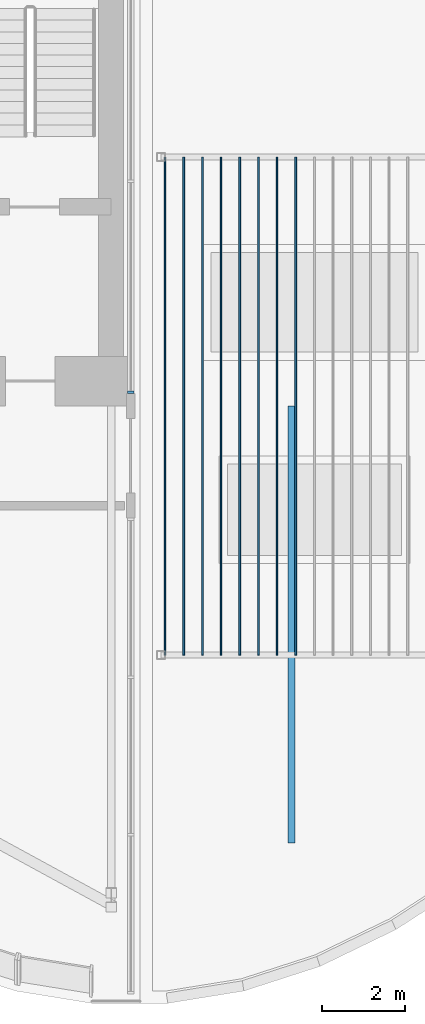
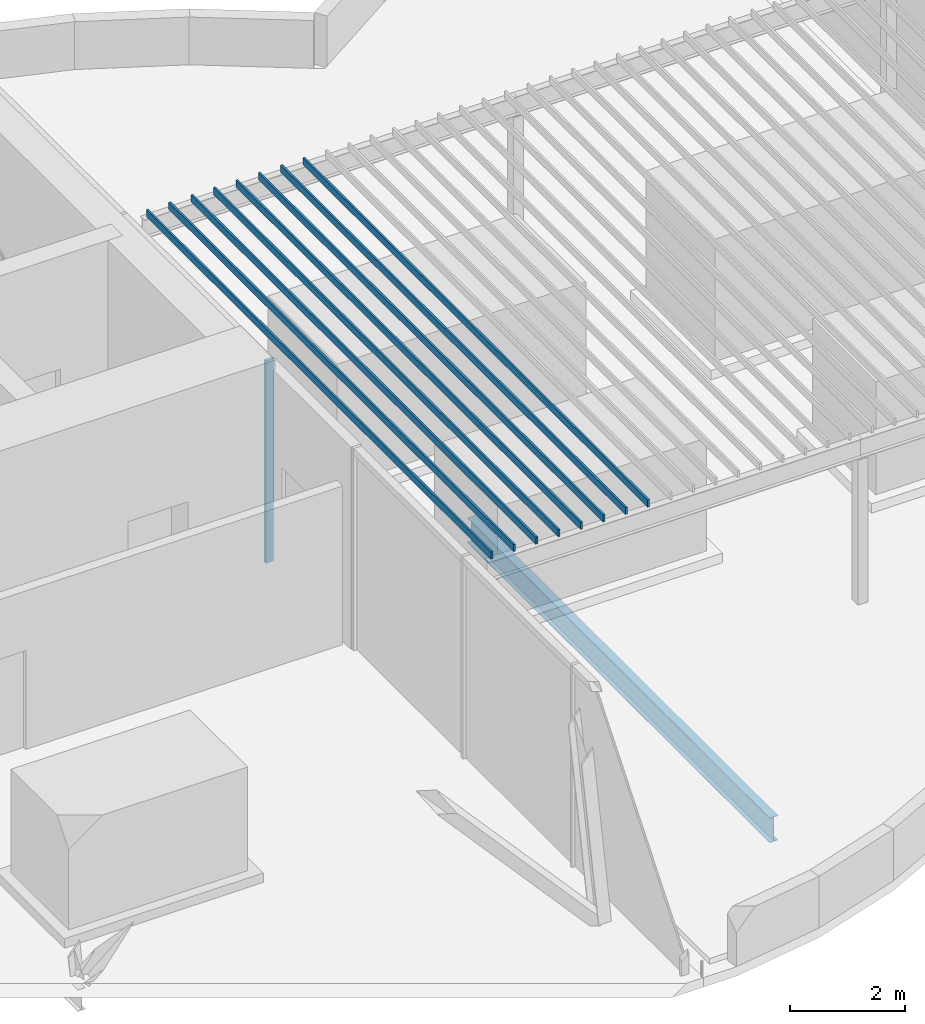
# One storey, part 4 of 18: 9 members, 1 beam, 2 elements without a shape of their own.
"""IFC4 building model written with IfcOpenShell, lengths in metres."""

from ifc_helpers import new_model, si_unit, direction, frame, origin, origin_2d, place, context, subcontext, project, spatial, rectangle, i_section, extrude, material, material_profile, profile_set, type_object, element, aggregate, save


model = new_model("IFC4")

# Units and contexts
model_context = context("Model", 3, precision=1e-05, world=origin(), true_north=direction((0.0, 1.0)))
body_context = subcontext(model_context, "Body", "Model", "MODEL_VIEW")
ifc_project = project(units=[si_unit("LENGTHUNIT", "METRE"), si_unit("AREAUNIT", "SQUARE_METRE"), si_unit("VOLUMEUNIT", "CUBIC_METRE"), si_unit("PLANEANGLEUNIT", "RADIAN"), si_unit("MASSUNIT", "GRAM", prefix="KILO")], contexts=[model_context])

# Site, building, storey
site_placement = place(None, origin())
site = spatial("IfcSite", under=ifc_project, at=site_placement, CompositionType="ELEMENT")
building_placement = place(site_placement, origin())
building = spatial("IfcBuilding", under=site, at=building_placement, Name="Bicima Exchange Tower", CompositionType="ELEMENT")
storey_placement = place(building_placement, frame((0.0, 0.0, 347.89990234375)))
storey = spatial("IfcBuildingStorey", under=building, at=storey_placement, Name="L78", CompositionType="ELEMENT", Elevation=347.89990234375)

# Curtain wall, member
ifc_material_1 = material(Name="Anodised bronze aluminium", Category="aluminium")
curtain_wall_type_1 = type_object("IfcCurtainWallType", Name="End face glass wall", PredefinedType="NOTDEFINED", material=ifc_material_1)
curtain_wall_1_placement = place(storey_placement, origin())
curtain_wall_1 = element("IfcCurtainWall", 1, at=curtain_wall_1_placement, inside=storey, type_object=curtain_wall_type_1, Name="End face glass wall L78 run 1.2", PredefinedType="NOTDEFINED")
ifc_material_profile_1 = material_profile(ifc_material_1, rectangle(XDim=0.159912109375, YDim=0.06005859375, at=origin_2d()))
ifc_profile_set_1 = profile_set([ifc_material_profile_1], Name="Anodised bronze aluminium")
member_type_1 = type_object("IfcMemberType", Name="End face glass wall mullion 60 x 160", PredefinedType="MULLION", material=ifc_profile_set_1)
member_1_placement = place(storey_placement, frame((-8.22998046875, -12.669921875, 0.0), z_axis=(0.0, 0.0, 1.0), x_axis=(-1.0, 0.0, 0.0)))
member_1 = element("IfcMember", 2, at=member_1_placement, type_object=member_type_1, Name="End face glass wall mullion 1", PredefinedType="MULLION", context=body_context, shape_type="SweptSolid", body=[
    extrude(rectangle(XDim=0.159912109375, YDim=0.06005859375, at=origin_2d()), origin(), (0.0, 0.0, 1.0), 4.300048828125),
])
aggregate(curtain_wall_1, [member_1])

# Curtain wall, members
curtain_wall_type_2 = type_object("IfcCurtainWallType", Name="Louvre screen", PredefinedType="NOTDEFINED", material=ifc_material_1)
curtain_wall_2_placement = place(storey_placement, origin())
curtain_wall_2 = element("IfcCurtainWall", 3, at=curtain_wall_2_placement, inside=storey, type_object=curtain_wall_type_2, Name="Slot roof louvre SCREEN", PredefinedType="NOTDEFINED")
ifc_material_profile_2 = material_profile(ifc_material_1, rectangle(XDim=0.0400390625, YDim=0.14990234375, at=origin_2d()))
ifc_profile_set_2 = profile_set([ifc_material_profile_2], Name="Anodised bronze aluminium")
member_type_2 = type_object("IfcMemberType", Name="Louvre blade 150 x 40", PredefinedType="USERDEFINED", material=ifc_profile_set_2)
member_2_placement = place(storey_placement, frame((-7.39990234375, -7.0, 3.675048828125), z_axis=(0.0, -1.0, 0.0), x_axis=(1.0, 0.0, 0.0)))
member_2 = element("IfcMember", 4, at=member_2_placement, type_object=member_type_2, Name="Slot roof louvre blade", ObjectType="SCREEN", PredefinedType="USERDEFINED", context=body_context, shape_type="SweptSolid", body=[
    extrude(rectangle(XDim=0.0400390625, YDim=0.14990234375, at=origin_2d()), origin(), (0.0, 0.0, 1.0), 12.0),
])
member_3_placement = place(storey_placement, frame((-6.949951171875, -7.0, 3.675048828125), z_axis=(0.0, -1.0, 0.0), x_axis=(1.0, 0.0, 0.0)))
member_3 = element("IfcMember", 5, at=member_3_placement, type_object=member_type_2, Name="Slot roof louvre blade", ObjectType="SCREEN", PredefinedType="USERDEFINED", context=body_context, shape_type="SweptSolid", body=[
    extrude(rectangle(XDim=0.0400390625, YDim=0.14990234375, at=origin_2d()), origin(), (0.0, 0.0, 1.0), 12.0),
])
member_4_placement = place(storey_placement, frame((-6.5, -7.0, 3.675048828125), z_axis=(0.0, -1.0, 0.0), x_axis=(1.0, 0.0, 0.0)))
member_4 = element("IfcMember", 6, at=member_4_placement, type_object=member_type_2, Name="Slot roof louvre blade", ObjectType="SCREEN", PredefinedType="USERDEFINED", context=body_context, shape_type="SweptSolid", body=[
    extrude(rectangle(XDim=0.0400390625, YDim=0.14990234375, at=origin_2d()), origin(), (0.0, 0.0, 1.0), 12.0),
])
member_5_placement = place(storey_placement, frame((-6.050048828125, -7.0, 3.675048828125), z_axis=(0.0, -1.0, 0.0), x_axis=(1.0, 0.0, 0.0)))
member_5 = element("IfcMember", 7, at=member_5_placement, type_object=member_type_2, Name="Slot roof louvre blade", ObjectType="SCREEN", PredefinedType="USERDEFINED", context=body_context, shape_type="SweptSolid", body=[
    extrude(rectangle(XDim=0.0400390625, YDim=0.14990234375, at=origin_2d()), origin(), (0.0, 0.0, 1.0), 12.0),
])
member_6_placement = place(storey_placement, frame((-5.60009765625, -7.0, 3.675048828125), z_axis=(0.0, -1.0, 0.0), x_axis=(1.0, 0.0, 0.0)))
member_6 = element("IfcMember", 8, at=member_6_placement, type_object=member_type_2, Name="Slot roof louvre blade", ObjectType="SCREEN", PredefinedType="USERDEFINED", context=body_context, shape_type="SweptSolid", body=[
    extrude(rectangle(XDim=0.0400390625, YDim=0.14990234375, at=origin_2d()), origin(), (0.0, 0.0, 1.0), 12.0),
])
member_7_placement = place(storey_placement, frame((-5.14990234375, -7.0, 3.675048828125), z_axis=(0.0, -1.0, 0.0), x_axis=(1.0, 0.0, 0.0)))
member_7 = element("IfcMember", 9, at=member_7_placement, type_object=member_type_2, Name="Slot roof louvre blade", ObjectType="SCREEN", PredefinedType="USERDEFINED", context=body_context, shape_type="SweptSolid", body=[
    extrude(rectangle(XDim=0.0400390625, YDim=0.14990234375, at=origin_2d()), origin(), (0.0, 0.0, 1.0), 12.0),
])
member_8_placement = place(storey_placement, frame((-4.699951171875, -7.0, 3.675048828125), z_axis=(0.0, -1.0, 0.0), x_axis=(1.0, 0.0, 0.0)))
member_8 = element("IfcMember", 10, at=member_8_placement, type_object=member_type_2, Name="Slot roof louvre blade", ObjectType="SCREEN", PredefinedType="USERDEFINED", context=body_context, shape_type="SweptSolid", body=[
    extrude(rectangle(XDim=0.0400390625, YDim=0.14990234375, at=origin_2d()), origin(), (0.0, 0.0, 1.0), 12.0),
])
member_9_placement = place(storey_placement, frame((-4.25, -7.0, 3.675048828125), z_axis=(0.0, -1.0, 0.0), x_axis=(1.0, 0.0, 0.0)))
member_9 = element("IfcMember", 11, at=member_9_placement, type_object=member_type_2, Name="Slot roof louvre blade", ObjectType="SCREEN", PredefinedType="USERDEFINED", context=body_context, shape_type="SweptSolid", body=[
    extrude(rectangle(XDim=0.0400390625, YDim=0.14990234375, at=origin_2d()), origin(), (0.0, 0.0, 1.0), 12.0),
])
aggregate(curtain_wall_2, [member_2, member_3, member_4, member_5, member_6, member_7, member_8, member_9])

# Beam
ifc_material_2 = material(Name="Steel ASTM A992 Gr 50", Category="steel")
ifc_material_profile_3 = material_profile(ifc_material_2, i_section(OverallWidth=0.165771484375, OverallDepth=0.5283203125, WebThickness=0.009765625, FlangeThickness=0.013671875, at=origin_2d()))
ifc_profile_set_3 = profile_set([ifc_material_profile_3], Name="Steel ASTM A992 Gr 50")
beam_type = type_object("IfcBeamType", Name="Slot deck beam W21x50", PredefinedType="JOIST", material=ifc_profile_set_3)
beam_placement = place(storey_placement, frame((-4.35009765625, -13.0, -0.464111328125), z_axis=(0.0, -1.0, 0.0), x_axis=(1.0, 0.0, 0.0)))
element("IfcBeam", 12, at=beam_placement, inside=storey, type_object=beam_type, Name="Slot deck beam", PredefinedType="JOIST", context=body_context, shape_type="SweptSolid", body=[
    extrude(i_section(OverallWidth=0.165771484375, OverallDepth=0.5283203125, WebThickness=0.009765625, FlangeThickness=0.013671875, at=origin_2d()), origin(), (0.0, 0.0, 1.0), 10.527587890625),
])

save(model, "model.ifc")
